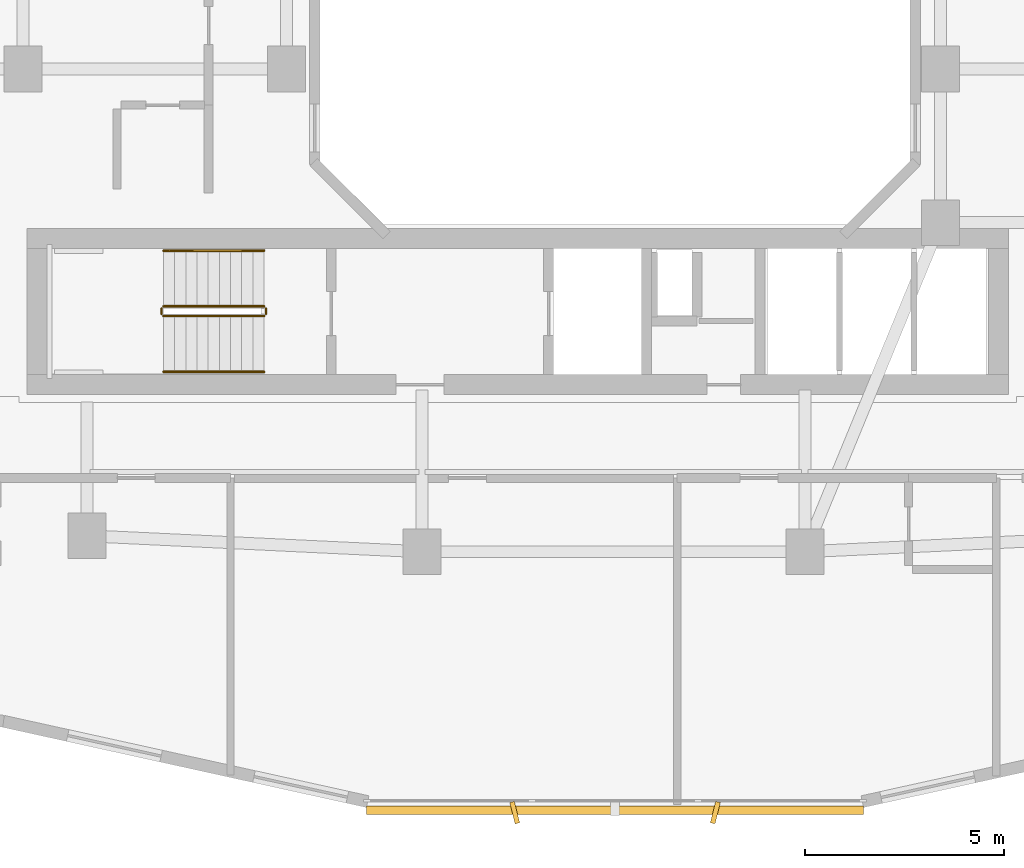
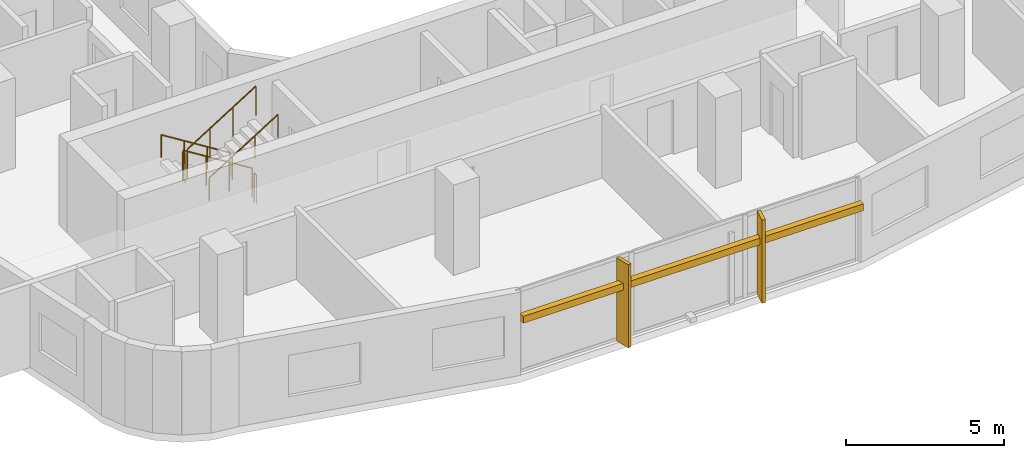
# One storey, part 23 of 27: 6 railings, 3 shading devices.
"""IFC4 building model written with IfcOpenShell, lengths in metres."""

from ifc_helpers import new_model, si_unit, derived_unit, direction, frame, origin, origin_2d, place, context, subcontext, project, spatial, rectangle, circle, extrude, material, type_object, element, save


model = new_model("IFC4")

# Units and contexts
model_context = context("Model", 3, precision=1e-05, world=origin(), true_north=direction((0.0, 1.0)))
body_context = subcontext(model_context, "Body", "Model", "MODEL_VIEW")
ifc_project = project(units=[si_unit("LENGTHUNIT", "METRE"), si_unit("AREAUNIT", "SQUARE_METRE"), si_unit("VOLUMEUNIT", "CUBIC_METRE"), si_unit("PLANEANGLEUNIT", "RADIAN"), si_unit("MASSUNIT", "GRAM", prefix="KILO"), derived_unit("THERMALTRANSMITTANCEUNIT", [(si_unit("POWERUNIT", "WATT"), 1), (si_unit("LENGTHUNIT", "METRE"), -2), (si_unit("THERMODYNAMICTEMPERATUREUNIT", "KELVIN"), -1)])], contexts=[model_context])

# Site, building, storey
site_placement = place(None, origin())
site = spatial("IfcSite", under=ifc_project, at=site_placement, CompositionType="ELEMENT")
building_placement = place(site_placement, origin())
building = spatial("IfcBuilding", under=site, at=building_placement, Name="Kivonza Crest Hotel", CompositionType="ELEMENT")
storey_placement = place(building_placement, frame((0.0, 0.0, 76.5)))
storey = spatial("IfcBuildingStorey", under=building, at=storey_placement, Name="L20", CompositionType="ELEMENT", Elevation=76.5)

# Railings
ifc_material_1 = material(Name="Brushed stainless steel handrail", Category="steel")
railing_type_1 = type_object("IfcRailingType", Name="RL-HAND-900", PredefinedType="HANDRAIL", material=ifc_material_1)
railing_1_placement = place(storey_placement, frame((12.239990234375, 16.949951171875, 0.175048828125)))
element("IfcRailing", 1, at=railing_1_placement, inside=storey, type_object=railing_type_1, Name="L20 ST-T1-S stair handrail 1", PredefinedType="HANDRAIL", context=body_context, shape_type="SweptSolid", body=[
    extrude(circle(Radius=0.02392578125, at=origin_2d()), frame((0.0, 0.0, 0.8759765625), z_axis=(-0.848007534815, 0.0, 0.529984170421), x_axis=(0.0, -1.0, 0.0)), (0.0, 0.0, 1.0), 2.9716796875),
    extrude(circle(Radius=0.02099609375, at=origin_2d()), origin(), (0.0, 0.0, 1.0), 0.851806640625),
    extrude(circle(Radius=0.02099609375, at=origin_2d()), frame((-0.840087890625, 0.0, 0.52490234375)), (0.0, 0.0, 1.0), 0.851806640625),
    extrude(circle(Radius=0.02099609375, at=origin_2d()), frame((-1.679931640625, 0.0, 1.050048828125)), (0.0, 0.0, 1.0), 0.851806640625),
    extrude(circle(Radius=0.02099609375, at=origin_2d()), frame((-2.52001953125, 0.0, 1.574951171875)), (0.0, 0.0, 1.0), 0.851806640625),
])
railing_2_placement = place(storey_placement, frame((9.719970703125, 13.909912109375, 1.925048828125)))
element("IfcRailing", 2, at=railing_2_placement, inside=storey, type_object=railing_type_1, Name="L20 ST-T1-S stair handrail 2", PredefinedType="HANDRAIL", context=body_context, shape_type="SweptSolid", body=[
    extrude(circle(Radius=0.02392578125, at=origin_2d()), frame((0.0, 0.0, 0.8759765625), z_axis=(0.848007534815, 0.0, 0.529984170421), x_axis=(0.0, 1.0, 0.0)), (0.0, 0.0, 1.0), 2.9716796875),
    extrude(circle(Radius=0.02099609375, at=origin_2d()), origin(), (0.0, 0.0, 1.0), 0.851806640625),
    extrude(circle(Radius=0.02099609375, at=origin_2d()), frame((0.840087890625, 0.0, 0.52490234375)), (0.0, 0.0, 1.0), 0.851806640625),
    extrude(circle(Radius=0.02099609375, at=origin_2d()), frame((1.679931640625, 0.0, 1.050048828125)), (0.0, 0.0, 1.0), 0.851806640625),
    extrude(circle(Radius=0.02099609375, at=origin_2d()), frame((2.52001953125, 0.0, 1.574951171875)), (0.0, 0.0, 1.0), 0.851806640625),
])
ifc_material_2 = material(Name="Painted steel balustrade", Category="steel")
railing_type_2 = type_object("IfcRailingType", Name="RL-STAIR-1150", PredefinedType="BALUSTRADE", material=ifc_material_2)
railing_3_placement = place(storey_placement, frame((12.239990234375, 15.550048828125, 0.175048828125)))
element("IfcRailing", 3, at=railing_3_placement, inside=storey, type_object=railing_type_2, Name="L20 ST-T1-S stair guard 1", PredefinedType="BALUSTRADE", context=body_context, shape_type="SweptSolid", body=[
    extrude(circle(Radius=0.02392578125, at=origin_2d()), frame((0.0, 0.0, 1.1259765625), z_axis=(-0.848007534815, 0.0, 0.529984170421), x_axis=(0.0, -1.0, 0.0)), (0.0, 0.0, 1.0), 2.9716796875),
    extrude(circle(Radius=0.02099609375, at=origin_2d()), origin(), (0.0, 0.0, 1.0), 1.101806640625),
    extrude(circle(Radius=0.02099609375, at=origin_2d()), frame((-0.840087890625, 0.0, 0.52490234375)), (0.0, 0.0, 1.0), 1.101806640625),
    extrude(circle(Radius=0.02099609375, at=origin_2d()), frame((-1.679931640625, 0.0, 1.050048828125)), (0.0, 0.0, 1.0), 1.101806640625),
    extrude(circle(Radius=0.02099609375, at=origin_2d()), frame((-2.52001953125, 0.0, 1.574951171875)), (0.0, 0.0, 1.0), 1.101806640625),
])
railing_4_placement = place(storey_placement, frame((9.669921875, 15.5, 1.75)))
element("IfcRailing", 4, at=railing_4_placement, inside=storey, type_object=railing_type_2, Name="L20 ST-T1-S stair guard 2", PredefinedType="BALUSTRADE", context=body_context, shape_type="SweptSolid", body=[
    extrude(circle(Radius=0.02392578125, at=origin_2d()), frame((0.0, 0.0, 1.1259765625), z_axis=(0.0, -1.0, 0.0), x_axis=(1.0, 0.0, 0.0)), (0.0, 0.0, 1.0), 0.139892578125),
    extrude(circle(Radius=0.02099609375, at=origin_2d()), origin(), (0.0, 0.0, 1.0), 1.101806640625),
    extrude(circle(Radius=0.02099609375, at=origin_2d()), frame((0.0, -0.139892578125, 0.0)), (0.0, 0.0, 1.0), 1.101806640625),
])
railing_5_placement = place(storey_placement, frame((9.719970703125, 15.31005859375, 1.925048828125)))
element("IfcRailing", 5, at=railing_5_placement, inside=storey, type_object=railing_type_2, Name="L20 ST-T1-S stair guard 3", PredefinedType="BALUSTRADE", context=body_context, shape_type="SweptSolid", body=[
    extrude(circle(Radius=0.02392578125, at=origin_2d()), frame((0.0, 0.0, 1.1259765625), z_axis=(0.848007534815, 0.0, 0.529984170421), x_axis=(0.0, 1.0, 0.0)), (0.0, 0.0, 1.0), 2.9716796875),
    extrude(circle(Radius=0.02099609375, at=origin_2d()), origin(), (0.0, 0.0, 1.0), 1.101806640625),
    extrude(circle(Radius=0.02099609375, at=origin_2d()), frame((0.840087890625, 0.0, 0.52490234375)), (0.0, 0.0, 1.0), 1.101806640625),
    extrude(circle(Radius=0.02099609375, at=origin_2d()), frame((1.679931640625, 0.0, 1.050048828125)), (0.0, 0.0, 1.0), 1.101806640625),
    extrude(circle(Radius=0.02099609375, at=origin_2d()), frame((2.52001953125, 0.0, 1.574951171875)), (0.0, 0.0, 1.0), 1.101806640625),
])
railing_6_placement = place(storey_placement, frame((12.2900390625, 15.5, 0.0)))
element("IfcRailing", 6, at=railing_6_placement, inside=storey, type_object=railing_type_2, Name="L20 ST-T1-S stair guard 4", PredefinedType="BALUSTRADE", context=body_context, shape_type="SweptSolid", body=[
    extrude(circle(Radius=0.02392578125, at=origin_2d()), frame((0.0, 0.0, 1.1259765625), z_axis=(0.0, -1.0, 0.0), x_axis=(1.0, 0.0, 0.0)), (0.0, 0.0, 1.0), 0.139892578125),
    extrude(circle(Radius=0.02099609375, at=origin_2d()), origin(), (0.0, 0.0, 1.0), 1.101806640625),
    extrude(circle(Radius=0.02099609375, at=origin_2d()), frame((0.0, -0.139892578125, 0.0)), (0.0, 0.0, 1.0), 1.101806640625),
])

# Shading devices
ifc_material_3 = material(Name="Kiln-fired Nairobi red-ochre terracotta", Category="masonry")
shading_device_type_1 = type_object("IfcShadingDeviceType", Name="SH-BAGUETTE-300", PredefinedType="USERDEFINED", material=ifc_material_3)
shading_device_placement = place(storey_placement, frame((21.0400390625, 2.919921875, 2.1240234375), z_axis=(0.0, 0.0, 1.0), x_axis=(1.0, 0.0, 0.0)))
element("IfcShadingDevice", 7, at=shading_device_placement, inside=storey, type_object=shading_device_type_1, Name="L20 terracotta baguette screen CW-T1-L20-08", ObjectType="BAGUETTE", PredefinedType="USERDEFINED", context=body_context, shape_type="SweptSolid", body=[
    extrude(rectangle(XDim=12.4560546875, YDim=0.219970703125, at=origin_2d()), origin(), (0.0, 0.0, 1.0), 0.260009765625),
])
ifc_material_4 = material(Name="Kiln-fired terracotta over extruded aluminium spine", Category="masonry")
shading_device_type_2 = type_object("IfcShadingDeviceType", Name="SH-FIN-550", PredefinedType="USERDEFINED", material=ifc_material_4)
for number, where, z_axis, x_axis, name in (
    (8, (18.52490234375, 2.860107421875, 0.0), (0.0, 0.0, 1.0), (0.970295726276, 0.2419218956, 0.0), "L20 vertical solar shading fin CW-T1-L20-08-1"),
    (9, (23.554931640625, 2.860107421875, 0.0), (0.0, 0.0, 1.0), (0.970295726276, -0.2419218956, 0.0), "L20 vertical solar shading fin CW-T1-L20-08-2"),
):
    element("IfcShadingDevice", number, at=place(storey_placement, frame(where, z_axis=z_axis, x_axis=x_axis)), inside=storey, type_object=shading_device_type_2, Name=name, ObjectType="FIN", PredefinedType="USERDEFINED", context=body_context, shape_type="SweptSolid", body=[
        extrude(rectangle(XDim=0.1201171875, YDim=0.550048828125, at=origin_2d()), origin(), (0.0, 0.0, 1.0), 3.219970703125),
    ])

save(model, "model.ifc")
